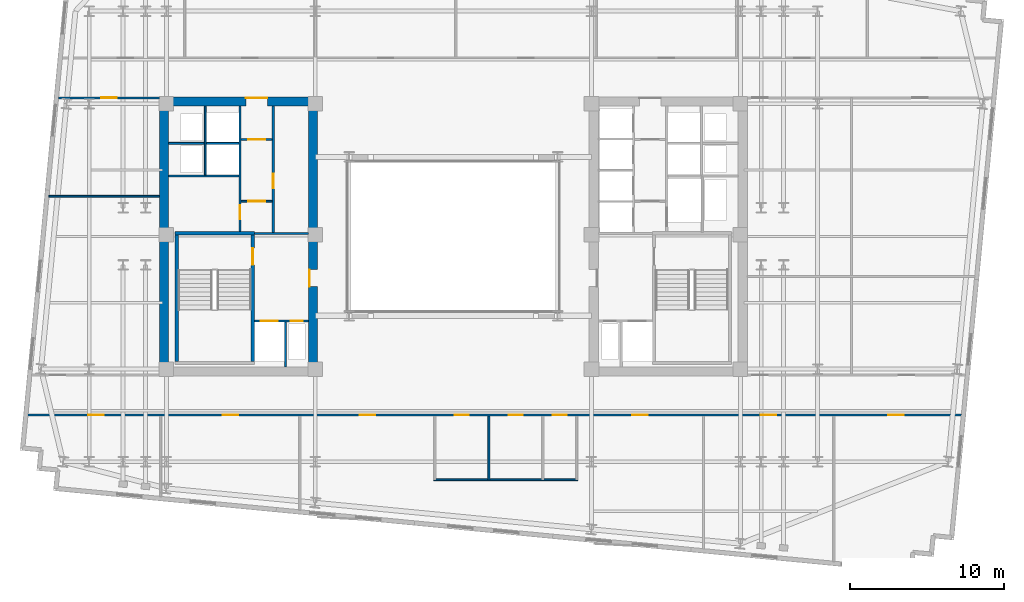
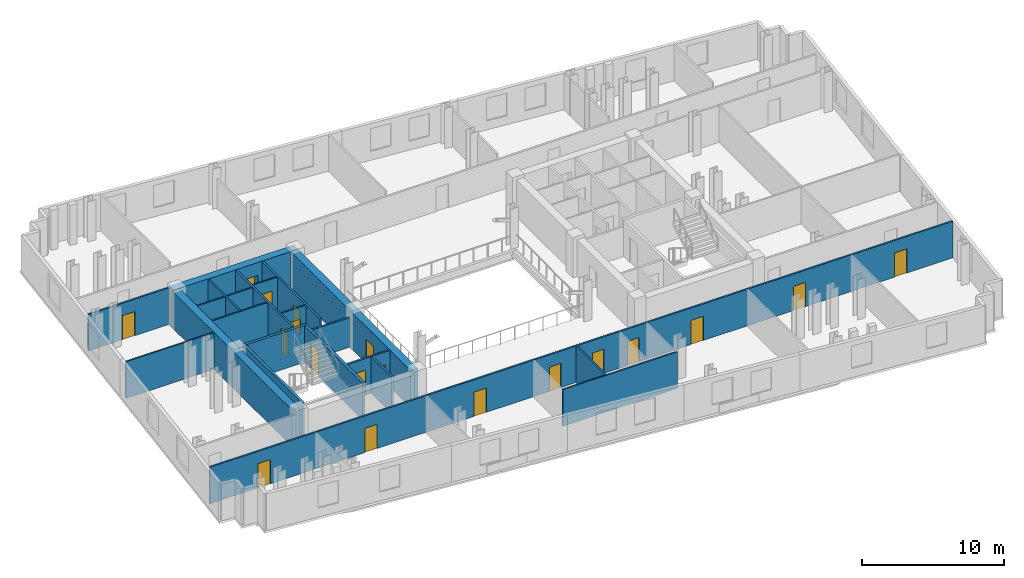
# One storey, part 4 of 9: 22 walls, 19 doors, 19 openings.
"""IFC4 building model written with IfcOpenShell, lengths in metres."""

from ifc_helpers import new_model, si_unit, direction, frame, frame_2d, origin, place, context, subcontext, project, spatial, rectangle, extrude, material, layer, layer_set, type_object, element, fill, save


model = new_model("IFC4")

# Units and contexts
model_context = context("Model", 3, precision=1e-05, world=origin(), true_north=direction((0.0, 1.0)))
body_context = subcontext(model_context, "Body", "Model", "MODEL_VIEW")
ifc_project = project(units=[si_unit("LENGTHUNIT", "METRE"), si_unit("AREAUNIT", "SQUARE_METRE"), si_unit("VOLUMEUNIT", "CUBIC_METRE"), si_unit("PLANEANGLEUNIT", "RADIAN"), si_unit("MASSUNIT", "GRAM", prefix="KILO")], contexts=[model_context])

# Site, building, storey
site_placement = place(None, origin())
site = spatial("IfcSite", under=ifc_project, at=site_placement, CompositionType="ELEMENT")
building_placement = place(site_placement, origin())
building = spatial("IfcBuilding", under=site, at=building_placement, Name="Velakula Bourse", CompositionType="ELEMENT")
storey_placement = place(building_placement, frame((0.0, 0.0, 191.449951171875)))
storey = spatial("IfcBuildingStorey", under=building, at=storey_placement, Name="L52", CompositionType="ELEMENT", Elevation=191.449951171875)

# Wall, opening, door
ifc_material_1 = material(Name="Concrete M50 (fck 50 MPa)", Category="concrete")
ifc_layer_1 = layer(ifc_material_1, 0.2099609375, Name="Concrete M50 (fck 50 MPa)", Category="concrete")
ifc_layer_set_1 = layer_set([ifc_layer_1], Name="Concrete M50 (fck 50 MPa)")
wall_type_1 = type_object("IfcWallType", Name="WL-CORE-210", PredefinedType="SHEAR", material=ifc_layer_set_1)
wall_1_placement = place(storey_placement, frame((-12.9951171875, -8.10009765625, 0.0), z_axis=(0.0, 0.0, 1.0), x_axis=(0.0, 1.0, 0.0)))
wall_1 = element("IfcWall", 1, at=wall_1_placement, inside=storey, type_object=wall_type_1, Name="L52 Core W Stairwell Shear Wall IN", PredefinedType="SHEAR", context=body_context, shape_type="SweptSolid", body=[
    extrude(rectangle(XDim=8.2001953125, YDim=0.2099609375, at=frame_2d((4.10009765625, 0.0))), origin(), (0.0, 0.0, 1.0), 3.170166015625),
])
opening_1_placement = place(wall_1_placement, frame((6.25, 0.0, 0.0)))
opening_1 = element("IfcOpeningElement", 2, at=opening_1_placement, cuts=wall_1, Name="Opening D-STW1", PredefinedType="OPENING", context=body_context, shape_type="SweptSolid", body=[
    extrude(rectangle(XDim=1.10009765625, YDim=2.14990234375, at=frame_2d((0.550048828125, 1.074951171875))), frame((0.0, 0.114990234375, 0.0), z_axis=(0.0, -1.0, 0.0), x_axis=(1.0, 0.0, 0.0)), (0.0, 0.0, 1.0), 0.22998046875),
])
ifc_material_2 = material(Name="Galvanised painted hollow steel fire door", Category="steel")
door_type_1 = type_object("IfcDoorType", Name="DR-FD120-1100x2150", OperationType="NOTDEFINED", PredefinedType="DOOR", material=ifc_material_2)
door_1_placement = place(opening_1_placement, origin())
door_1 = element("IfcDoor", 3, at=door_1_placement, inside=storey, type_object=door_type_1, Name="L52 Stair ST-W1 Fire Door", OperationType="SINGLE_SWING_LEFT", OverallHeight=2.14990234375, OverallWidth=1.10009765625, PredefinedType="DOOR", context=body_context, shape_type="SweptSolid", body=[
    extrude(rectangle(XDim=1.10009765625, YDim=2.14990234375, at=frame_2d((0.550048828125, 1.074951171875))), frame((0.0, 0.02490234375, 0.0), z_axis=(0.0, -1.0, 0.0), x_axis=(1.0, 0.0, 0.0)), (0.0, 0.0, 1.0), 0.050048828125),
])
fill(opening_1, door_1)

# Walls
wall_2_placement = place(storey_placement, frame((-17.925048828125, -8.10009765625, 0.0), z_axis=(0.0, 0.0, 1.0), x_axis=(0.0, 1.0, 0.0)))
element("IfcWall", 4, at=wall_2_placement, inside=storey, type_object=wall_type_1, Name="L52 Core W Stairwell Shear Wall OUT", PredefinedType="SHEAR", context=body_context, shape_type="SweptSolid", body=[
    extrude(rectangle(XDim=8.2001953125, YDim=0.2099609375, at=frame_2d((4.10009765625, 0.0))), origin(), (0.0, 0.0, 1.0), 3.170166015625),
])
wall_3_placement = place(storey_placement, frame((-12.889892578125, 0.205078125, 0.0), z_axis=(0.0, 0.0, 1.0), x_axis=(-1.0, 0.0, 0.0)))
element("IfcWall", 5, at=wall_3_placement, inside=storey, type_object=wall_type_1, Name="L52 Core W Stairwell Shear Wall N", PredefinedType="SHEAR", context=body_context, shape_type="SweptSolid", body=[
    extrude(rectangle(XDim=5.14013671875, YDim=0.2099609375, at=frame_2d((2.570068359375, 0.0))), origin(), (0.0, 0.0, 1.0), 3.170166015625),
])

# Wall, opening, door
ifc_material_3 = material(Name="Concrete M70 (fck 70 MPa)", Category="concrete")
ifc_layer_2 = layer(ifc_material_3, 0.60009765625, Name="Concrete M70 (fck 70 MPa)", Category="concrete")
ifc_layer_set_2 = layer_set([ifc_layer_2], Name="Concrete M70 (fck 70 MPa)")
wall_type_2 = type_object("IfcWallType", Name="WL-CORE-600", PredefinedType="SHEAR", material=ifc_layer_set_2)
wall_4_placement = place(storey_placement, frame((-19.050048828125, 8.75, 0.0), z_axis=(0.0, 0.0, 1.0), x_axis=(1.0, 0.0, 0.0)))
wall_4 = element("IfcWall", 6, at=wall_4_placement, inside=storey, type_object=wall_type_2, Name="L52 Core W Shear Wall N", PredefinedType="SHEAR", context=body_context, shape_type="SweptSolid", body=[
    extrude(rectangle(XDim=10.25, YDim=0.60009765625, at=frame_2d((5.125, 0.0))), origin(), (0.0, 0.0, 1.0), 3.170166015625),
])
opening_2_placement = place(wall_4_placement, frame((5.60009765625, 0.0, 0.0)))
opening_2 = element("IfcOpeningElement", 7, at=opening_2_placement, cuts=wall_4, Name="Opening D-LLW", PredefinedType="OPENING", context=body_context, shape_type="SweptSolid", body=[
    extrude(rectangle(XDim=1.39990234375, YDim=2.050048828125, at=frame_2d((0.699951171875, 1.02490234375))), frame((0.0, 0.31005859375, 0.0), z_axis=(0.0, -1.0, 0.0), x_axis=(1.0, 0.0, 0.0)), (0.0, 0.0, 1.0), 0.6201171875),
])
ifc_material_4 = material(Name="Fire-rated hardwood flush architectural door", Category="wood")
door_type_2 = type_object("IfcDoorType", Name="DR-DBL-FD60-1400", OperationType="DOUBLE_DOOR_SINGLE_SWING", PredefinedType="DOOR", material=ifc_material_4)
door_2_placement = place(opening_2_placement, origin())
door_2 = element("IfcDoor", 8, at=door_2_placement, inside=storey, type_object=door_type_2, Name="L52 Core W Lift Lobby Corridor Double Door", OperationType="DOUBLE_DOOR_SINGLE_SWING", OverallHeight=2.050048828125, OverallWidth=1.39990234375, PredefinedType="DOOR", context=body_context, shape_type="SweptSolid", body=[
    extrude(rectangle(XDim=1.39990234375, YDim=2.050048828125, at=frame_2d((0.699951171875, 1.02490234375))), frame((0.0, 0.2451171875, 0.0), z_axis=(0.0, -1.0, 0.0), x_axis=(1.0, 0.0, 0.0)), (0.0, 0.0, 1.0), 0.050048828125),
])
fill(opening_2, door_2)

# Wall
wall_5_placement = place(storey_placement, frame((-18.75, -8.449951171875, 0.0), z_axis=(0.0, 0.0, 1.0), x_axis=(0.0, 1.0, 0.0)))
element("IfcWall", 9, at=wall_5_placement, inside=storey, type_object=wall_type_2, Name="L52 Core W Shear Wall W", PredefinedType="SHEAR", context=body_context, shape_type="SweptSolid", body=[
    extrude(rectangle(XDim=16.89990234375, YDim=0.60009765625, at=frame_2d((8.449951171875, 0.0))), origin(), (0.0, 0.0, 1.0), 3.170166015625),
])

# Wall, opening, door
wall_6_placement = place(storey_placement, frame((-9.10009765625, -8.449951171875, 0.0), z_axis=(0.0, 0.0, 1.0), x_axis=(0.0, 1.0, 0.0)))
wall_6 = element("IfcWall", 10, at=wall_6_placement, inside=storey, type_object=wall_type_2, Name="L52 Core W Shear Wall E", PredefinedType="SHEAR", context=body_context, shape_type="SweptSolid", body=[
    extrude(rectangle(XDim=16.89990234375, YDim=0.60009765625, at=frame_2d((8.449951171875, 0.0))), origin(), (0.0, 0.0, 1.0), 3.170166015625),
])
opening_3_placement = place(wall_6_placement, frame((5.199951171875, 0.0, 0.0)))
opening_3 = element("IfcOpeningElement", 11, at=opening_3_placement, cuts=wall_6, Name="Opening D-FLW", PredefinedType="OPENING", context=body_context, shape_type="SweptSolid", body=[
    extrude(rectangle(XDim=1.10009765625, YDim=2.080078125, at=frame_2d((0.550048828125, 1.0400390625))), frame((0.0, 0.31005859375, 0.0), z_axis=(0.0, -1.0, 0.0), x_axis=(1.0, 0.0, 0.0)), (0.0, 0.0, 1.0), 0.6201171875),
])
door_type_3 = type_object("IfcDoorType", Name="DR-FD120-1100", OperationType="NOTDEFINED", PredefinedType="DOOR", material=ifc_material_2)
door_3_placement = place(opening_3_placement, origin())
door_3 = element("IfcDoor", 12, at=door_3_placement, inside=storey, type_object=door_type_3, Name="L52 Firefighting Lobby W Corridor Fire Door", OperationType="SINGLE_SWING_LEFT", OverallHeight=2.080078125, OverallWidth=1.10009765625, PredefinedType="DOOR", context=body_context, shape_type="SweptSolid", body=[
    extrude(rectangle(XDim=1.10009765625, YDim=2.080078125, at=frame_2d((0.550048828125, 1.0400390625))), frame((0.0, 0.2548828125, 0.0), z_axis=(0.0, -1.0, 0.0), x_axis=(1.0, 0.0, 0.0)), (0.0, 0.0, 1.0), 0.050048828125),
])
fill(opening_3, door_3)

ifc_material_5 = material(Name="Fire-rated double-layer gypsum drywall partition", Category="gypsum")
ifc_layer_3 = layer(ifc_material_5, 0.1201171875, Name="Fire-rated double-layer gypsum drywall partition", Category="gypsum")
ifc_layer_set_3 = layer_set([ifc_layer_3], Name="Fire-rated double-layer gypsum drywall partition")
wall_type_3 = type_object("IfcWallType", Name="WL-PART-120", PredefinedType="STANDARD", material=ifc_layer_set_3)
wall_7_placement = place(storey_placement, frame((-13.75, 2.280029296875, 0.0), z_axis=(0.0, 0.0, 1.0), x_axis=(1.0, 0.0, 0.0)))
wall_7 = element("IfcWall", 13, at=wall_7_placement, inside=storey, type_object=wall_type_3, Name="L52 Interior Partition WL-CRW-L52-LL-K3A", PredefinedType="STANDARD", context=body_context, shape_type="SweptSolid", body=[
    extrude(rectangle(XDim=2.0, YDim=0.1201171875, at=frame_2d((1.0, 0.0))), origin(), (0.0, 0.0, 1.0), 3.150146484375),
])
opening_4_placement = place(wall_7_placement, frame((0.449951171875, 0.0, 0.0)))
opening_4 = element("IfcOpeningElement", 14, at=opening_4_placement, cuts=wall_7, Name="Opening D-LK3", PredefinedType="OPENING", context=body_context, shape_type="SweptSolid", body=[
    extrude(rectangle(XDim=1.10009765625, YDim=2.10009765625, at=frame_2d((0.550048828125, 1.050048828125))), frame((0.0, 0.070068359375, 0.0), z_axis=(0.0, -1.0, 0.0), x_axis=(1.0, 0.0, 0.0)), (0.0, 0.0, 1.0), 0.14013671875),
])
door_type_4 = type_object("IfcDoorType", Name="DR-FD60-1100x2100", OperationType="NOTDEFINED", PredefinedType="DOOR", material=ifc_material_4)
door_4_placement = place(opening_4_placement, origin())
door_4 = element("IfcDoor", 15, at=door_4_placement, inside=storey, type_object=door_type_4, Name="L52 Core W Lift Lobby Vestibule Door A", OperationType="SINGLE_SWING_RIGHT", OverallHeight=2.10009765625, OverallWidth=1.10009765625, PredefinedType="DOOR", context=body_context, shape_type="SweptSolid", body=[
    extrude(rectangle(XDim=1.10009765625, YDim=2.10009765625, at=frame_2d((0.550048828125, 1.050048828125))), frame((0.0, 0.02490234375, 0.0), z_axis=(0.0, -1.0, 0.0), x_axis=(1.0, 0.0, 0.0)), (0.0, 0.0, 1.0), 0.050048828125),
])
fill(opening_4, door_4)

wall_8_placement = place(storey_placement, frame((-13.75, 6.280029296875, 0.0), z_axis=(0.0, 0.0, 1.0), x_axis=(1.0, 0.0, 0.0)))
wall_8 = element("IfcWall", 16, at=wall_8_placement, inside=storey, type_object=wall_type_3, Name="L52 Interior Partition WL-CRW-L52-LL-K3B", PredefinedType="STANDARD", context=body_context, shape_type="SweptSolid", body=[
    extrude(rectangle(XDim=2.0, YDim=0.1201171875, at=frame_2d((1.0, 0.0))), origin(), (0.0, 0.0, 1.0), 3.150146484375),
])
opening_5_placement = place(wall_8_placement, frame((0.449951171875, 0.0, 0.0)))
opening_5 = element("IfcOpeningElement", 17, at=opening_5_placement, cuts=wall_8, Name="Opening D-LK3", PredefinedType="OPENING", context=body_context, shape_type="SweptSolid", body=[
    extrude(rectangle(XDim=1.10009765625, YDim=2.10009765625, at=frame_2d((0.550048828125, 1.050048828125))), frame((0.0, 0.070068359375, 0.0), z_axis=(0.0, -1.0, 0.0), x_axis=(1.0, 0.0, 0.0)), (0.0, 0.0, 1.0), 0.14013671875),
])
door_5_placement = place(opening_5_placement, origin())
door_5 = element("IfcDoor", 18, at=door_5_placement, inside=storey, type_object=door_type_4, Name="L52 Core W Lift Lobby Vestibule Door B", OperationType="SINGLE_SWING_RIGHT", OverallHeight=2.10009765625, OverallWidth=1.10009765625, PredefinedType="DOOR", context=body_context, shape_type="SweptSolid", body=[
    extrude(rectangle(XDim=1.10009765625, YDim=2.10009765625, at=frame_2d((0.550048828125, 1.050048828125))), frame((0.0, 0.02490234375, 0.0), z_axis=(0.0, -1.0, 0.0), x_axis=(1.0, 0.0, 0.0)), (0.0, 0.0, 1.0), 0.050048828125),
])
fill(opening_5, door_5)

# Walls
wall_9_placement = place(storey_placement, frame((-18.449951171875, 3.919921875, 0.0), z_axis=(0.0, 0.0, 1.0), x_axis=(1.0, 0.0, 0.0)))
element("IfcWall", 19, at=wall_9_placement, inside=storey, type_object=wall_type_3, Name="L52 Interior Partition WL-CRW-L52-HI-S", PredefinedType="STANDARD", context=body_context, shape_type="SweptSolid", body=[
    extrude(rectangle(XDim=4.550048828125, YDim=0.1201171875, at=frame_2d((2.27490234375, 0.0))), origin(), (0.0, 0.0, 1.0), 3.150146484375),
])
wall_10_placement = place(storey_placement, frame((-18.449951171875, 6.030029296875, 0.0), z_axis=(0.0, 0.0, 1.0), x_axis=(1.0, 0.0, 0.0)))
element("IfcWall", 20, at=wall_10_placement, inside=storey, type_object=wall_type_3, Name="L52 Interior Partition WL-CRW-L52-RIS-MID", PredefinedType="STANDARD", context=body_context, shape_type="SweptSolid", body=[
    extrude(rectangle(XDim=2.300048828125, YDim=0.1201171875, at=frame_2d((1.14990234375, 0.0))), origin(), (0.0, 0.0, 1.0), 3.150146484375),
])
wall_11_placement = place(storey_placement, frame((-16.074951171875, 3.97998046875, 0.0), z_axis=(0.0, 0.0, 1.0), x_axis=(0.0, 1.0, 0.0)))
element("IfcWall", 21, at=wall_11_placement, inside=storey, type_object=wall_type_3, Name="L52 Interior Partition WL-CRW-L52-RIS-F", PredefinedType="STANDARD", context=body_context, shape_type="SweptSolid", body=[
    extrude(rectangle(XDim=4.469970703125, YDim=0.1201171875, at=frame_2d((2.23486328125, 0.0))), origin(), (0.0, 0.0, 1.0), 3.150146484375),
])
wall_12_placement = place(storey_placement, frame((-16.0, 6.030029296875, 0.0), z_axis=(0.0, 0.0, 1.0), x_axis=(1.0, 0.0, 0.0)))
element("IfcWall", 22, at=wall_12_placement, inside=storey, type_object=wall_type_3, Name="L52 Interior Partition WL-CRW-L52-HI-DIV", PredefinedType="STANDARD", context=body_context, shape_type="SweptSolid", body=[
    extrude(rectangle(XDim=2.10009765625, YDim=0.1201171875, at=frame_2d((1.050048828125, 0.0))), origin(), (0.0, 0.0, 1.0), 3.150146484375),
])
wall_13_placement = place(storey_placement, frame((-1.260009765625, -15.77001953125, 0.0), z_axis=(0.0, 0.0, 1.0), x_axis=(1.0, 0.0, 0.0)))
element("IfcWall", 23, at=wall_13_placement, inside=storey, type_object=wall_type_3, Name="L52 Interior Partition WL-WC-L52-BACK", PredefinedType="STANDARD", context=body_context, shape_type="SweptSolid", body=[
    extrude(rectangle(XDim=9.320068359375, YDim=0.1201171875, at=frame_2d((4.66015625, 0.0))), origin(), (0.0, 0.0, 1.0), 3.150146484375),
])
wall_14_placement = place(storey_placement, frame((2.300048828125, -15.77001953125, 0.0), z_axis=(0.0, 0.0, 1.0), x_axis=(0.0, 1.0, 0.0)))
element("IfcWall", 24, at=wall_14_placement, inside=storey, type_object=wall_type_3, Name="L52 Interior Partition WL-WC-L52-V2", PredefinedType="STANDARD", context=body_context, shape_type="SweptSolid", body=[
    extrude(rectangle(XDim=4.130126953125, YDim=0.1201171875, at=frame_2d((2.06494140625, 0.0))), origin(), (0.0, 0.0, 1.0), 3.150146484375),
])
wall_15_placement = place(storey_placement, frame((-26.218505859375, 2.60009765625, 0.0), z_axis=(0.0, 0.0, 1.0), x_axis=(1.0, 0.0, 0.0)))
element("IfcWall", 25, at=wall_15_placement, inside=storey, type_object=wall_type_3, Name="L52 Interior Partition WL-INT-L52-W-H", PredefinedType="STANDARD", context=body_context, shape_type="SweptSolid", body=[
    extrude(rectangle(XDim=7.16845703125, YDim=0.1201171875, at=frame_2d((3.584228515625, 0.0))), origin(), (0.0, 0.0, 1.0), 3.150146484375),
])

# Wall, openings, doors
ifc_layer_4 = layer(ifc_material_5, 0.139892578125, Name="Fire-rated double-layer gypsum drywall partition", Category="gypsum")
ifc_layer_set_4 = layer_set([ifc_layer_4], Name="Fire-rated double-layer gypsum drywall partition")
wall_type_4 = type_object("IfcWallType", Name="WL-PART-140", PredefinedType="STANDARD", material=ifc_layer_set_4)
wall_16_placement = place(storey_placement, frame((-27.5830078125, -11.570068359375, 0.0), z_axis=(0.0, 0.0, 1.0), x_axis=(1.0, 0.0, 0.0)))
wall_16 = element("IfcWall", 26, at=wall_16_placement, inside=storey, type_object=wall_type_4, Name="L52 Interior Partition WL-INT-L52-S-CORR", PredefinedType="STANDARD", context=body_context, shape_type="SweptSolid", body=[
    extrude(rectangle(XDim=60.5185546875, YDim=0.139892578125, at=frame_2d((30.25927734375, 0.0))), origin(), (0.0, 0.0, 1.0), 3.150146484375),
])
opening_6_placement = place(wall_16_placement, frame((27.673095703125, 0.0, 0.0)))
opening_6 = element("IfcOpeningElement", 27, at=opening_6_placement, cuts=wall_16, Name="Opening D-WT1", PredefinedType="OPENING", context=body_context, shape_type="SweptSolid", body=[
    extrude(rectangle(XDim=0.919921875, YDim=2.080078125, at=frame_2d((0.4599609375, 1.0400390625))), frame((0.0, 0.079833984375, 0.0), z_axis=(0.0, -1.0, 0.0), x_axis=(1.0, 0.0, 0.0)), (0.0, 0.0, 1.0), 0.159912109375),
])
opening_7_placement = place(wall_16_placement, frame((31.173095703125, 0.0, 0.0)))
opening_7 = element("IfcOpeningElement", 28, at=opening_7_placement, cuts=wall_16, Name="Opening D-WT1", PredefinedType="OPENING", context=body_context, shape_type="SweptSolid", body=[
    extrude(rectangle(XDim=0.919921875, YDim=2.080078125, at=frame_2d((0.4599609375, 1.0400390625))), frame((0.0, 0.079833984375, 0.0), z_axis=(0.0, -1.0, 0.0), x_axis=(1.0, 0.0, 0.0)), (0.0, 0.0, 1.0), 0.159912109375),
])
opening_8_placement = place(wall_16_placement, frame((34.02294921875, 0.0, 0.0)))
opening_8 = element("IfcOpeningElement", 29, at=opening_8_placement, cuts=wall_16, Name="Opening D-WC1", PredefinedType="OPENING", context=body_context, shape_type="SweptSolid", body=[
    extrude(rectangle(XDim=0.919921875, YDim=2.080078125, at=frame_2d((0.4599609375, 1.0400390625))), frame((0.0, 0.079833984375, 0.0), z_axis=(0.0, -1.0, 0.0), x_axis=(1.0, 0.0, 0.0)), (0.0, 0.0, 1.0), 0.159912109375),
])
opening_9_placement = place(wall_16_placement, frame((3.935546875, 0.0, 0.0)))
opening_9 = element("IfcOpeningElement", 30, at=opening_9_placement, cuts=wall_16, Name="Opening D-OF1", PredefinedType="OPENING", context=body_context, shape_type="SweptSolid", body=[
    extrude(rectangle(XDim=1.0, YDim=2.080078125, at=frame_2d((0.5, 1.0400390625))), frame((0.0, 0.079833984375, 0.0), z_axis=(0.0, -1.0, 0.0), x_axis=(1.0, 0.0, 0.0)), (0.0, 0.0, 1.0), 0.159912109375),
])
opening_10_placement = place(wall_16_placement, frame((12.62646484375, 0.0, 0.0)))
opening_10 = element("IfcOpeningElement", 31, at=opening_10_placement, cuts=wall_16, Name="Opening D-OF1", PredefinedType="OPENING", context=body_context, shape_type="SweptSolid", body=[
    extrude(rectangle(XDim=1.0, YDim=2.080078125, at=frame_2d((0.5, 1.0400390625))), frame((0.0, 0.079833984375, 0.0), z_axis=(0.0, -1.0, 0.0), x_axis=(1.0, 0.0, 0.0)), (0.0, 0.0, 1.0), 0.159912109375),
])
opening_11_placement = place(wall_16_placement, frame((21.508544921875, 0.0, 0.0)))
opening_11 = element("IfcOpeningElement", 32, at=opening_11_placement, cuts=wall_16, Name="Opening D-OF1", PredefinedType="OPENING", context=body_context, shape_type="SweptSolid", body=[
    extrude(rectangle(XDim=1.0, YDim=2.080078125, at=frame_2d((0.5, 1.0400390625))), frame((0.0, 0.079833984375, 0.0), z_axis=(0.0, -1.0, 0.0), x_axis=(1.0, 0.0, 0.0)), (0.0, 0.0, 1.0), 0.159912109375),
])
opening_12_placement = place(wall_16_placement, frame((39.1865234375, 0.0, 0.0)))
opening_12 = element("IfcOpeningElement", 33, at=opening_12_placement, cuts=wall_16, Name="Opening D-OF1", PredefinedType="OPENING", context=body_context, shape_type="SweptSolid", body=[
    extrude(rectangle(XDim=1.0, YDim=2.080078125, at=frame_2d((0.5, 1.0400390625))), frame((0.0, 0.079833984375, 0.0), z_axis=(0.0, -1.0, 0.0), x_axis=(1.0, 0.0, 0.0)), (0.0, 0.0, 1.0), 0.159912109375),
])
opening_13_placement = place(wall_16_placement, frame((47.517578125, 0.0, 0.0)))
opening_13 = element("IfcOpeningElement", 34, at=opening_13_placement, cuts=wall_16, Name="Opening D-OF1", PredefinedType="OPENING", context=body_context, shape_type="SweptSolid", body=[
    extrude(rectangle(XDim=1.0, YDim=2.080078125, at=frame_2d((0.5, 1.0400390625))), frame((0.0, 0.079833984375, 0.0), z_axis=(0.0, -1.0, 0.0), x_axis=(1.0, 0.0, 0.0)), (0.0, 0.0, 1.0), 0.159912109375),
])
opening_14_placement = place(wall_16_placement, frame((55.755859375, 0.0, 0.0)))
opening_14 = element("IfcOpeningElement", 35, at=opening_14_placement, cuts=wall_16, Name="Opening D-OF1", PredefinedType="OPENING", context=body_context, shape_type="SweptSolid", body=[
    extrude(rectangle(XDim=1.0, YDim=2.080078125, at=frame_2d((0.5, 1.0400390625))), frame((0.0, 0.079833984375, 0.0), z_axis=(0.0, -1.0, 0.0), x_axis=(1.0, 0.0, 0.0)), (0.0, 0.0, 1.0), 0.159912109375),
])
door_type_5 = type_object("IfcDoorType", Name="DR-OFF-1000", OperationType="NOTDEFINED", PredefinedType="DOOR", material=ifc_material_4)
door_6_placement = place(opening_9_placement, origin())
door_6 = element("IfcDoor", 36, at=door_6_placement, inside=storey, type_object=door_type_5, Name="L52 Breakout Dining Lounge Door", OperationType="SINGLE_SWING_LEFT", OverallHeight=2.080078125, OverallWidth=1.0, PredefinedType="DOOR", context=body_context, shape_type="SweptSolid", body=[
    extrude(rectangle(XDim=1.0, YDim=2.080078125, at=frame_2d((0.5, 1.0400390625))), frame((0.0, 0.02490234375, 0.0), z_axis=(0.0, -1.0, 0.0), x_axis=(1.0, 0.0, 0.0)), (0.0, 0.0, 1.0), 0.050048828125),
])
fill(opening_9, door_6)
door_7_placement = place(opening_10_placement, origin())
door_7 = element("IfcDoor", 37, at=door_7_placement, inside=storey, type_object=door_type_5, Name="L52 Compliance Review Office Door", OperationType="SINGLE_SWING_RIGHT", OverallHeight=2.080078125, OverallWidth=1.0, PredefinedType="DOOR", context=body_context, shape_type="SweptSolid", body=[
    extrude(rectangle(XDim=1.0, YDim=2.080078125, at=frame_2d((0.5, 1.0400390625))), frame((0.0, 0.02490234375, 0.0), z_axis=(0.0, -1.0, 0.0), x_axis=(1.0, 0.0, 0.0)), (0.0, 0.0, 1.0), 0.050048828125),
])
fill(opening_10, door_7)
door_8_placement = place(opening_11_placement, origin())
door_8 = element("IfcDoor", 38, at=door_8_placement, inside=storey, type_object=door_type_5, Name="L52 Training Classroom Door", OperationType="SINGLE_SWING_LEFT", OverallHeight=2.080078125, OverallWidth=1.0, PredefinedType="DOOR", context=body_context, shape_type="SweptSolid", body=[
    extrude(rectangle(XDim=1.0, YDim=2.080078125, at=frame_2d((0.5, 1.0400390625))), frame((0.0, 0.02490234375, 0.0), z_axis=(0.0, -1.0, 0.0), x_axis=(1.0, 0.0, 0.0)), (0.0, 0.0, 1.0), 0.050048828125),
])
fill(opening_11, door_8)
door_9_placement = place(opening_12_placement, origin())
door_9 = element("IfcDoor", 39, at=door_9_placement, inside=storey, type_object=door_type_5, Name="L52 Tea Room Kitchenette Door", OperationType="SINGLE_SWING_RIGHT", OverallHeight=2.080078125, OverallWidth=1.0, PredefinedType="DOOR", context=body_context, shape_type="SweptSolid", body=[
    extrude(rectangle(XDim=1.0, YDim=2.080078125, at=frame_2d((0.5, 1.0400390625))), frame((0.0, 0.02490234375, 0.0), z_axis=(0.0, -1.0, 0.0), x_axis=(1.0, 0.0, 0.0)), (0.0, 0.0, 1.0), 0.050048828125),
])
fill(opening_12, door_9)
door_10_placement = place(opening_13_placement, origin())
door_10 = element("IfcDoor", 40, at=door_10_placement, inside=storey, type_object=door_type_5, Name="L52 Algorithmic Dealing Workspace Door", OperationType="SINGLE_SWING_LEFT", OverallHeight=2.080078125, OverallWidth=1.0, PredefinedType="DOOR", context=body_context, shape_type="SweptSolid", body=[
    extrude(rectangle(XDim=1.0, YDim=2.080078125, at=frame_2d((0.5, 1.0400390625))), frame((0.0, 0.02490234375, 0.0), z_axis=(0.0, -1.0, 0.0), x_axis=(1.0, 0.0, 0.0)), (0.0, 0.0, 1.0), 0.050048828125),
])
fill(opening_13, door_10)
door_11_placement = place(opening_14_placement, origin())
door_11 = element("IfcDoor", 41, at=door_11_placement, inside=storey, type_object=door_type_5, Name="L52 Compliance Review Office Door", OperationType="SINGLE_SWING_RIGHT", OverallHeight=2.080078125, OverallWidth=1.0, PredefinedType="DOOR", context=body_context, shape_type="SweptSolid", body=[
    extrude(rectangle(XDim=1.0, YDim=2.080078125, at=frame_2d((0.5, 1.0400390625))), frame((0.0, 0.02490234375, 0.0), z_axis=(0.0, -1.0, 0.0), x_axis=(1.0, 0.0, 0.0)), (0.0, 0.0, 1.0), 0.050048828125),
])
fill(opening_14, door_11)
door_type_6 = type_object("IfcDoorType", Name="DR-WC-950", OperationType="NOTDEFINED", PredefinedType="DOOR", material=ifc_material_4)
door_12_placement = place(opening_6_placement, origin())
door_12 = element("IfcDoor", 42, at=door_12_placement, inside=storey, type_object=door_type_6, Name="L52 Male Staff Toilet Door", OperationType="SINGLE_SWING_RIGHT", OverallHeight=2.080078125, OverallWidth=0.919921875, PredefinedType="DOOR", context=body_context, shape_type="SweptSolid", body=[
    extrude(rectangle(XDim=0.919921875, YDim=2.080078125, at=frame_2d((0.4599609375, 1.0400390625))), frame((0.0, 0.02490234375, 0.0), z_axis=(0.0, -1.0, 0.0), x_axis=(1.0, 0.0, 0.0)), (0.0, 0.0, 1.0), 0.050048828125),
])
fill(opening_6, door_12)
door_13_placement = place(opening_7_placement, origin())
door_13 = element("IfcDoor", 43, at=door_13_placement, inside=storey, type_object=door_type_6, Name="L52 Female Staff Toilet Door", OperationType="SINGLE_SWING_LEFT", OverallHeight=2.080078125, OverallWidth=0.919921875, PredefinedType="DOOR", context=body_context, shape_type="SweptSolid", body=[
    extrude(rectangle(XDim=0.919921875, YDim=2.080078125, at=frame_2d((0.4599609375, 1.0400390625))), frame((0.0, 0.02490234375, 0.0), z_axis=(0.0, -1.0, 0.0), x_axis=(1.0, 0.0, 0.0)), (0.0, 0.0, 1.0), 0.050048828125),
])
fill(opening_7, door_13)
door_14_placement = place(opening_8_placement, origin())
door_14 = element("IfcDoor", 44, at=door_14_placement, inside=storey, type_object=door_type_6, Name="L52 Accessible WC Door", OperationType="SINGLE_SWING_RIGHT", OverallHeight=2.080078125, OverallWidth=0.919921875, PredefinedType="DOOR", context=body_context, shape_type="SweptSolid", body=[
    extrude(rectangle(XDim=0.919921875, YDim=2.080078125, at=frame_2d((0.4599609375, 1.0400390625))), frame((0.0, 0.02490234375, 0.0), z_axis=(0.0, -1.0, 0.0), x_axis=(1.0, 0.0, 0.0)), (0.0, 0.0, 1.0), 0.050048828125),
])
fill(opening_8, door_14)

# Wall, opening, door
wall_17_placement = place(storey_placement, frame((-25.604248046875, 8.97998046875, 0.0), z_axis=(0.0, 0.0, 1.0), x_axis=(1.0, 0.0, 0.0)))
wall_17 = element("IfcWall", 45, at=wall_17_placement, inside=storey, type_object=wall_type_4, Name="L52 Interior Partition WL-INT-L52-W-NC", PredefinedType="STANDARD", context=body_context, shape_type="SweptSolid", body=[
    extrude(rectangle(XDim=6.55419921875, YDim=0.139892578125, at=frame_2d((3.277099609375, 0.0))), origin(), (0.0, 0.0, 1.0), 3.150146484375),
])
opening_15_placement = place(wall_17_placement, frame((2.777099609375, 0.0, 0.0)))
opening_15 = element("IfcOpeningElement", 46, at=opening_15_placement, cuts=wall_17, Name="Opening D-OF1", PredefinedType="OPENING", context=body_context, shape_type="SweptSolid", body=[
    extrude(rectangle(XDim=1.0, YDim=2.080078125, at=frame_2d((0.5, 1.0400390625))), frame((0.0, 0.079833984375, 0.0), z_axis=(0.0, -1.0, 0.0), x_axis=(1.0, 0.0, 0.0)), (0.0, 0.0, 1.0), 0.159912109375),
])
door_15_placement = place(opening_15_placement, origin())
door_15 = element("IfcDoor", 47, at=door_15_placement, inside=storey, type_object=door_type_5, Name="L52 Compliance Review Office Door", OperationType="SINGLE_SWING_LEFT", OverallHeight=2.080078125, OverallWidth=1.0, PredefinedType="DOOR", context=body_context, shape_type="SweptSolid", body=[
    extrude(rectangle(XDim=1.0, YDim=2.080078125, at=frame_2d((0.5, 1.0400390625))), frame((0.0, 0.02490234375, 0.0), z_axis=(0.0, -1.0, 0.0), x_axis=(1.0, 0.0, 0.0)), (0.0, 0.0, 1.0), 0.050048828125),
])
fill(opening_15, door_15)

# Wall, openings, doors
ifc_material_6 = material(Name="Autoclaved aerated concrete blockwork masonry", Category="masonry")
ifc_layer_5 = layer(ifc_material_6, 0.14990234375, Name="Autoclaved aerated concrete blockwork masonry", Category="masonry")
ifc_layer_set_5 = layer_set([ifc_layer_5], Name="Autoclaved aerated concrete blockwork masonry")
wall_type_5 = type_object("IfcWallType", Name="WL-SHAFT-150", PredefinedType="STANDARD", material=ifc_layer_set_5)
wall_18_placement = place(storey_placement, frame((-12.89501953125, -5.47509765625, 0.0), z_axis=(0.0, 0.0, 1.0), x_axis=(1.0, 0.0, 0.0)))
wall_18 = element("IfcWall", 48, at=wall_18_placement, inside=storey, type_object=wall_type_5, Name="L52 Interior Partition WL-CRW-L52-FFL-N", PredefinedType="STANDARD", context=body_context, shape_type="SweptSolid", body=[
    extrude(rectangle(XDim=3.4951171875, YDim=0.14990234375, at=frame_2d((1.74755859375, 0.0))), origin(), (0.0, 0.0, 1.0), 3.150146484375),
])
opening_16_placement = place(wall_18_placement, frame((0.419921875, 0.0, 0.0)))
opening_16 = element("IfcOpeningElement", 49, at=opening_16_placement, cuts=wall_18, Name="Opening LD-FFL-1", PredefinedType="OPENING", context=body_context, shape_type="SweptSolid", body=[
    extrude(rectangle(XDim=1.10009765625, YDim=2.14990234375, at=frame_2d((0.550048828125, 1.074951171875))), frame((0.0, 0.0849609375, 0.0), z_axis=(0.0, -1.0, 0.0), x_axis=(1.0, 0.0, 0.0)), (0.0, 0.0, 1.0), 0.169921875),
])
opening_17_placement = place(wall_18_placement, frame((2.3701171875, 0.0, 0.0)))
opening_17 = element("IfcOpeningElement", 50, at=opening_17_placement, cuts=wall_18, Name="Opening D-RS1", PredefinedType="OPENING", context=body_context, shape_type="SweptSolid", body=[
    extrude(rectangle(XDim=0.75, YDim=2.050048828125, at=frame_2d((0.375, 1.02490234375))), frame((0.0, 0.0849609375, 0.0), z_axis=(0.0, -1.0, 0.0), x_axis=(1.0, 0.0, 0.0)), (0.0, 0.0, 1.0), 0.169921875),
])
door_type_7 = type_object("IfcDoorType", Name="DR-RISER-800", OperationType="NOTDEFINED", PredefinedType="DOOR", material=ifc_material_2)
door_16_placement = place(opening_17_placement, origin())
door_16 = element("IfcDoor", 51, at=door_16_placement, inside=storey, type_object=door_type_7, Name="L52 Fire Riser Access Door", OperationType="SINGLE_SWING_LEFT", OverallHeight=2.050048828125, OverallWidth=0.75, PredefinedType="DOOR", context=body_context, shape_type="SweptSolid", body=[
    extrude(rectangle(XDim=0.75, YDim=2.050048828125, at=frame_2d((0.375, 1.02490234375))), frame((0.0, 0.02490234375, 0.0), z_axis=(0.0, -1.0, 0.0), x_axis=(1.0, 0.0, 0.0)), (0.0, 0.0, 1.0), 0.050048828125),
])
fill(opening_17, door_16)
ifc_material_7 = material(Name="Brushed grade 316 stainless steel", Category="steel")
door_type_8 = type_object("IfcDoorType", Name="DR-SLIDE-FFL-1100", OperationType="DOUBLE_DOOR_SLIDING", PredefinedType="DOOR", material=ifc_material_7)
door_17_placement = place(opening_16_placement, origin())
door_17 = element("IfcDoor", 52, at=door_17_placement, inside=storey, type_object=door_type_8, Name="L52 Firefighting Lift FFL-1 Sliding Landing Door", OperationType="DOUBLE_DOOR_SLIDING", OverallHeight=2.14990234375, OverallWidth=1.10009765625, PredefinedType="DOOR", context=body_context, shape_type="SweptSolid", body=[
    extrude(rectangle(XDim=1.10009765625, YDim=2.14990234375, at=frame_2d((0.550048828125, 1.074951171875))), frame((0.0, 0.02490234375, 0.0), z_axis=(0.0, -1.0, 0.0), x_axis=(1.0, 0.0, 0.0)), (0.0, 0.0, 1.0), 0.050048828125),
])
fill(opening_16, door_17)

# Walls
wall_19_placement = place(storey_placement, frame((-10.875, -8.449951171875, 0.0), z_axis=(0.0, 0.0, 1.0), x_axis=(0.0, 1.0, 0.0)))
element("IfcWall", 53, at=wall_19_placement, inside=storey, type_object=wall_type_5, Name="L52 Interior Partition WL-CRW-L52-FR-DIV", PredefinedType="STANDARD", context=body_context, shape_type="SweptSolid", body=[
    extrude(rectangle(XDim=2.89990234375, YDim=0.14990234375, at=frame_2d((1.449951171875, 0.0))), origin(), (0.0, 0.0, 1.0), 3.150146484375),
])
wall_20_placement = place(storey_placement, frame((-12.889892578125, 0.18994140625, 0.0), z_axis=(0.0, 0.0, 1.0), x_axis=(1.0, 0.0, 0.0)))
element("IfcWall", 54, at=wall_20_placement, inside=storey, type_object=wall_type_5, Name="L52 Interior Partition WL-CRW-L52-FF-TOP", PredefinedType="STANDARD", context=body_context, shape_type="SweptSolid", body=[
    extrude(rectangle(XDim=3.489990234375, YDim=0.14990234375, at=frame_2d((1.7451171875, 0.0))), origin(), (0.0, 0.0, 1.0), 2.545166015625),
])

# Wall, opening, door
wall_21_placement = place(storey_placement, frame((-11.675048828125, 0.27001953125, 0.0), z_axis=(0.0, 0.0, 1.0), x_axis=(0.0, 1.0, 0.0)))
wall_21 = element("IfcWall", 55, at=wall_21_placement, inside=storey, type_object=wall_type_5, Name="L52 Interior Partition WL-CRW-L52-BANK-F", PredefinedType="STANDARD", context=body_context, shape_type="SweptSolid", body=[
    extrude(rectangle(XDim=8.179931640625, YDim=0.14990234375, at=frame_2d((4.08984375, 0.0))), origin(), (0.0, 0.0, 1.0), 3.150146484375),
])
opening_18_placement = place(wall_21_placement, frame((2.85009765625, 0.0, 0.0)))
opening_18 = element("IfcOpeningElement", 56, at=opening_18_placement, cuts=wall_21, Name="Opening D-RC4", PredefinedType="OPENING", context=body_context, shape_type="SweptSolid", body=[
    extrude(rectangle(XDim=0.949951171875, YDim=2.050048828125, at=frame_2d((0.47509765625, 1.02490234375))), frame((0.0, 0.0849609375, 0.0), z_axis=(0.0, -1.0, 0.0), x_axis=(1.0, 0.0, 0.0)), (0.0, 0.0, 1.0), 0.169921875),
])
door_type_9 = type_object("IfcDoorType", Name="DR-FD60-950x2050", OperationType="NOTDEFINED", PredefinedType="DOOR", material=ifc_material_4)
door_18_placement = place(opening_18_placement, origin())
door_18 = element("IfcDoor", 57, at=door_18_placement, inside=storey, type_object=door_type_9, Name="L52 Reclaimed Multi-Bay Archive Room Door", OperationType="SINGLE_SWING_RIGHT", OverallHeight=2.050048828125, OverallWidth=0.949951171875, PredefinedType="DOOR", context=body_context, shape_type="SweptSolid", body=[
    extrude(rectangle(XDim=0.949951171875, YDim=2.050048828125, at=frame_2d((0.47509765625, 1.02490234375))), frame((0.0, 0.02490234375, 0.0), z_axis=(0.0, -1.0, 0.0), x_axis=(1.0, 0.0, 0.0)), (0.0, 0.0, 1.0), 0.050048828125),
])
fill(opening_18, door_18)

wall_22_placement = place(storey_placement, frame((-13.824951171875, 0.27001953125, 0.0), z_axis=(0.0, 0.0, 1.0), x_axis=(0.0, 1.0, 0.0)))
wall_22 = element("IfcWall", 58, at=wall_22_placement, inside=storey, type_object=wall_type_5, Name="L52 Interior Partition WL-CRW-L52-OUT-F", PredefinedType="STANDARD", context=body_context, shape_type="SweptSolid", body=[
    extrude(rectangle(XDim=8.179931640625, YDim=0.14990234375, at=frame_2d((4.08984375, 0.0))), origin(), (0.0, 0.0, 1.0), 3.150146484375),
])
opening_19_placement = place(wall_22_placement, frame((0.85009765625, 0.0, 0.0)))
opening_19 = element("IfcOpeningElement", 59, at=opening_19_placement, cuts=wall_22, Name="Opening D-CR3", PredefinedType="OPENING", context=body_context, shape_type="SweptSolid", body=[
    extrude(rectangle(XDim=0.89990234375, YDim=2.050048828125, at=frame_2d((0.449951171875, 1.02490234375))), frame((0.0, 0.0849609375, 0.0), z_axis=(0.0, -1.0, 0.0), x_axis=(1.0, 0.0, 0.0)), (0.0, 0.0, 1.0), 0.169921875),
])
door_type_10 = type_object("IfcDoorType", Name="DR-INT-900", OperationType="NOTDEFINED", PredefinedType="DOOR", material=ifc_material_4)
door_19_placement = place(opening_19_placement, origin())
door_19 = element("IfcDoor", 60, at=door_19_placement, inside=storey, type_object=door_type_10, Name="L52 Core Stationery and Mail Room Door", OperationType="SINGLE_SWING_LEFT", OverallHeight=2.050048828125, OverallWidth=0.89990234375, PredefinedType="DOOR", context=body_context, shape_type="SweptSolid", body=[
    extrude(rectangle(XDim=0.89990234375, YDim=2.050048828125, at=frame_2d((0.449951171875, 1.02490234375))), frame((0.0, 0.02490234375, 0.0), z_axis=(0.0, -1.0, 0.0), x_axis=(1.0, 0.0, 0.0)), (0.0, 0.0, 1.0), 0.050048828125),
])
fill(opening_19, door_19)

save(model, "model.ifc")
